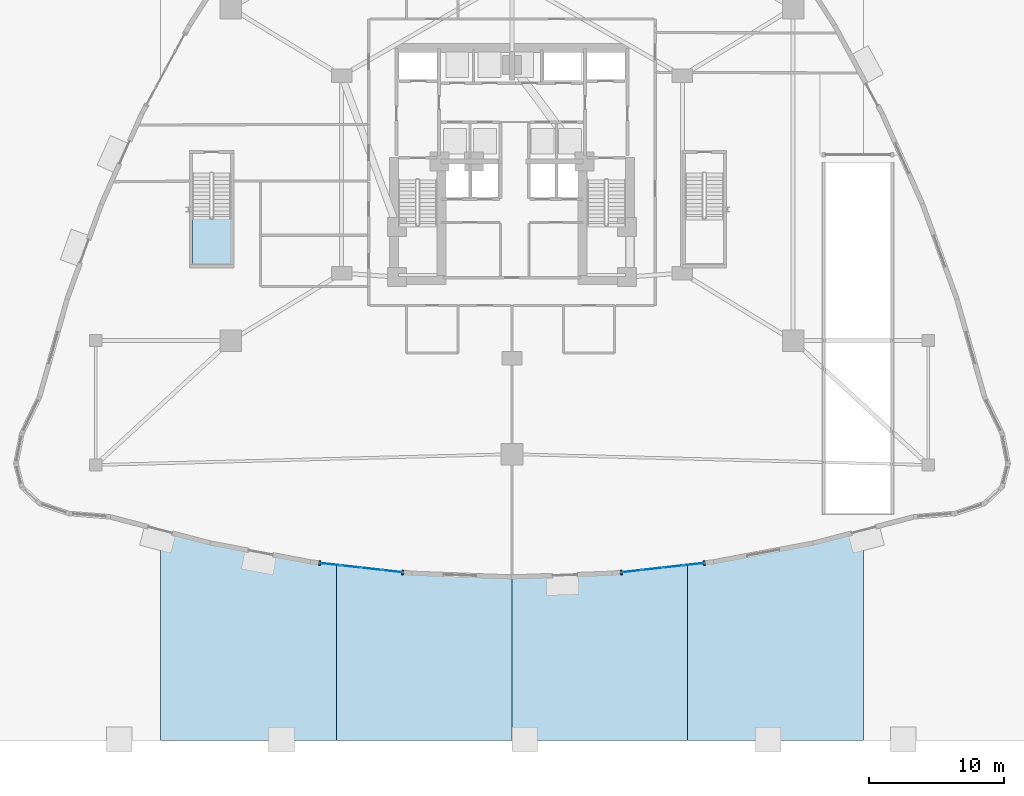
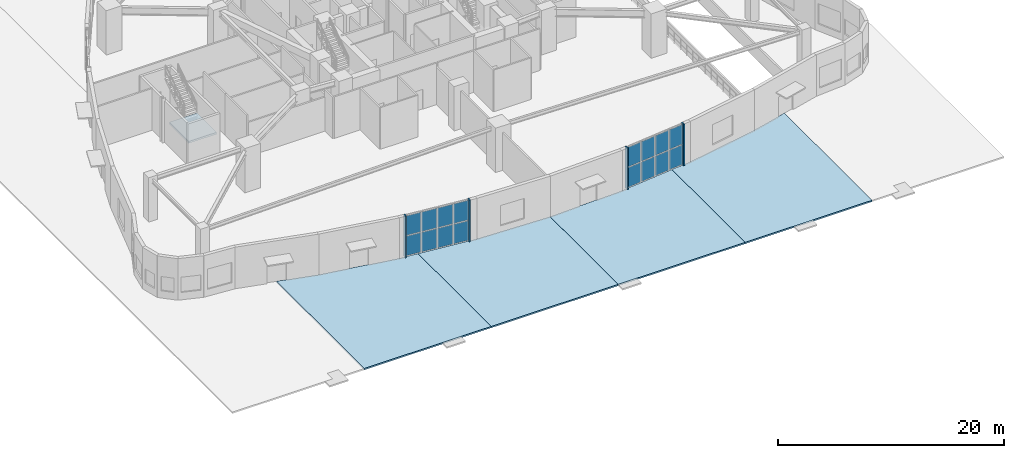
# One storey, part 15 of 32: 20 plates, 5 slabs, 3 elements without a shape of their own.
"""IFC4 building model written with IfcOpenShell, lengths in metres."""

from ifc_helpers import new_model, si_unit, direction, frame, origin, origin_2d, place, context, subcontext, project, spatial, polyline, rectangle, outline, extrude, material, layer, layer_set, type_object, element, aggregate, save


model = new_model("IFC4")

# Units and contexts
model_context = context("Model", 3, precision=1e-05, world=origin(), true_north=direction((0.0, 1.0)))
body_context = subcontext(model_context, "Body", "Model", "MODEL_VIEW")
ifc_project = project(units=[si_unit("LENGTHUNIT", "METRE"), si_unit("AREAUNIT", "SQUARE_METRE"), si_unit("VOLUMEUNIT", "CUBIC_METRE"), si_unit("PLANEANGLEUNIT", "RADIAN"), si_unit("MASSUNIT", "GRAM", prefix="KILO")], contexts=[model_context])

# Site, building, storey
site_placement = place(None, origin())
site = spatial("IfcSite", under=ifc_project, at=site_placement, CompositionType="ELEMENT")
building_placement = place(site_placement, origin())
building = spatial("IfcBuilding", under=site, at=building_placement, Name="Miruveldt Soraemaru", CompositionType="ELEMENT")
storey_placement = place(building_placement, origin())
storey = spatial("IfcBuildingStorey", under=building, at=storey_placement, Name="L01", CompositionType="ELEMENT", Elevation=0.0)

# Curtain wall, plates
ifc_material_1 = material(Name="Anodised aluminium EN AW-6063 T6", Category="aluminium")
ifc_layer_1 = layer(ifc_material_1, 0.239990234375, Name="Anodised aluminium EN AW-6063 T6", Category="aluminium")
ifc_layer_set_1 = layer_set([ifc_layer_1], Name="Anodised aluminium EN AW-6063 T6")
curtain_wall_type = type_object("IfcCurtainWallType", Name="CW-SYS-1", PredefinedType="USERDEFINED", material=ifc_layer_set_1)
curtain_wall_1_placement = place(storey_placement, origin())
curtain_wall_1 = element("IfcCurtainWall", 1, at=curtain_wall_1_placement, inside=storey, type_object=curtain_wall_type, Name="L01 Curtain Wall Bay 23", ObjectType="STOREFRONT", PredefinedType="USERDEFINED")
ifc_material_2 = material(Name="Triple low-e insulated glazing", Category="glass")
ifc_layer_2 = layer(ifc_material_2, 0.035888671875, Name="Triple low-e insulated glazing", Category="glass")
ifc_layer_set_2 = layer_set([ifc_layer_2], Name="Triple low-e insulated glazing")
plate_type_1 = type_object("IfcPlateType", Name="CWP-1", PredefinedType="CURTAIN_PANEL", material=ifc_layer_set_2)
plate_1_placement = place(storey_placement, frame((30.565673828125, 14.25732421875, 0.080078125), z_axis=(0.0, 0.0, 1.0), x_axis=(0.993731473424, -0.111793375147, 0.0)))
plate_1 = element("IfcPlate", 2, at=plate_1_placement, type_object=plate_type_1, Name="CW-1 panel 1.1", PredefinedType="CURTAIN_PANEL", context=body_context, shape_type="SweptSolid", body=[
    extrude(rectangle(XDim=1.42529296875, YDim=0.035888671875, at=origin_2d()), origin(), (0.0, 0.0, 1.0), 2.1298828125),
])
plate_2_placement = place(storey_placement, frame((30.565673828125, 14.25732421875, 2.2900390625), z_axis=(0.0, 0.0, 1.0), x_axis=(0.993731473424, -0.111793375147, 0.0)))
plate_2 = element("IfcPlate", 3, at=plate_2_placement, type_object=plate_type_1, Name="CW-1 panel 1.2", PredefinedType="CURTAIN_PANEL", context=body_context, shape_type="SweptSolid", body=[
    extrude(rectangle(XDim=1.42529296875, YDim=0.035888671875, at=origin_2d()), origin(), (0.0, 0.0, 1.0), 2.1298828125),
])
plate_3_placement = place(storey_placement, frame((32.081298828125, 14.0869140625, 0.080078125), z_axis=(0.0, 0.0, 1.0), x_axis=(0.993731473424, -0.111793375147, 0.0)))
plate_3 = element("IfcPlate", 4, at=plate_3_placement, type_object=plate_type_1, Name="CW-1 panel 2.1", PredefinedType="CURTAIN_PANEL", context=body_context, shape_type="SweptSolid", body=[
    extrude(rectangle(XDim=1.46533203125, YDim=0.035888671875, at=origin_2d()), origin(), (0.0, 0.0, 1.0), 2.1298828125),
])
plate_4_placement = place(storey_placement, frame((32.081298828125, 14.0869140625, 2.2900390625), z_axis=(0.0, 0.0, 1.0), x_axis=(0.993731473424, -0.111793375147, 0.0)))
plate_4 = element("IfcPlate", 5, at=plate_4_placement, type_object=plate_type_1, Name="CW-1 panel 2.2", PredefinedType="CURTAIN_PANEL", context=body_context, shape_type="SweptSolid", body=[
    extrude(rectangle(XDim=1.46533203125, YDim=0.035888671875, at=origin_2d()), origin(), (0.0, 0.0, 1.0), 2.1298828125),
])
plate_5_placement = place(storey_placement, frame((33.616943359375, 13.9140625, 0.080078125), z_axis=(0.0, 0.0, 1.0), x_axis=(0.993731473424, -0.111793375147, 0.0)))
plate_5 = element("IfcPlate", 6, at=plate_5_placement, type_object=plate_type_1, Name="CW-1 panel 3.1", PredefinedType="CURTAIN_PANEL", context=body_context, shape_type="SweptSolid", body=[
    extrude(rectangle(XDim=1.46533203125, YDim=0.035888671875, at=origin_2d()), origin(), (0.0, 0.0, 1.0), 2.1298828125),
])
plate_6_placement = place(storey_placement, frame((33.616943359375, 13.9140625, 2.2900390625), z_axis=(0.0, 0.0, 1.0), x_axis=(0.993731473424, -0.111793375147, 0.0)))
plate_6 = element("IfcPlate", 7, at=plate_6_placement, type_object=plate_type_1, Name="CW-1 panel 3.2", PredefinedType="CURTAIN_PANEL", context=body_context, shape_type="SweptSolid", body=[
    extrude(rectangle(XDim=1.46533203125, YDim=0.035888671875, at=origin_2d()), origin(), (0.0, 0.0, 1.0), 2.1298828125),
])
plate_7_placement = place(storey_placement, frame((35.132568359375, 13.74365234375, 0.080078125), z_axis=(0.0, 0.0, 1.0), x_axis=(0.993731473424, -0.111793375147, 0.0)))
plate_7 = element("IfcPlate", 8, at=plate_7_placement, type_object=plate_type_1, Name="CW-1 panel 4.1", PredefinedType="CURTAIN_PANEL", context=body_context, shape_type="SweptSolid", body=[
    extrude(rectangle(XDim=1.42529296875, YDim=0.035888671875, at=origin_2d()), origin(), (0.0, 0.0, 1.0), 2.1298828125),
])
plate_8_placement = place(storey_placement, frame((35.132568359375, 13.74365234375, 2.2900390625), z_axis=(0.0, 0.0, 1.0), x_axis=(0.993731473424, -0.111793375147, 0.0)))
plate_8 = element("IfcPlate", 9, at=plate_8_placement, type_object=plate_type_1, Name="CW-1 panel 4.2", PredefinedType="CURTAIN_PANEL", context=body_context, shape_type="SweptSolid", body=[
    extrude(rectangle(XDim=1.42529296875, YDim=0.035888671875, at=origin_2d()), origin(), (0.0, 0.0, 1.0), 2.1298828125),
])
aggregate(curtain_wall_1, [plate_1, plate_2, plate_3, plate_4, plate_5, plate_6, plate_7, plate_8])

curtain_wall_2_placement = place(storey_placement, origin())
curtain_wall_2 = element("IfcCurtainWall", 10, at=curtain_wall_2_placement, inside=storey, type_object=curtain_wall_type, Name="L01 Curtain Wall Bay 26", ObjectType="STOREFRONT", PredefinedType="USERDEFINED")
plate_9_placement = place(storey_placement, frame((52.86767578125, 13.74365234375, 0.080078125), z_axis=(0.0, 0.0, 1.0), x_axis=(0.993731473424, 0.111793375147, 0.0)))
plate_9 = element("IfcPlate", 11, at=plate_9_placement, type_object=plate_type_1, Name="CW-1 panel 1.1", PredefinedType="CURTAIN_PANEL", context=body_context, shape_type="SweptSolid", body=[
    extrude(rectangle(XDim=1.42529296875, YDim=0.035888671875, at=origin_2d()), origin(), (0.0, 0.0, 1.0), 2.1298828125),
])
plate_10_placement = place(storey_placement, frame((52.86767578125, 13.74365234375, 2.2900390625), z_axis=(0.0, 0.0, 1.0), x_axis=(0.993731473424, 0.111793375147, 0.0)))
plate_10 = element("IfcPlate", 12, at=plate_10_placement, type_object=plate_type_1, Name="CW-1 panel 1.2", PredefinedType="CURTAIN_PANEL", context=body_context, shape_type="SweptSolid", body=[
    extrude(rectangle(XDim=1.42529296875, YDim=0.035888671875, at=origin_2d()), origin(), (0.0, 0.0, 1.0), 2.1298828125),
])
plate_11_placement = place(storey_placement, frame((54.38330078125, 13.914306640625, 0.080078125), z_axis=(0.0, 0.0, 1.0), x_axis=(0.993731473424, 0.111793375147, 0.0)))
plate_11 = element("IfcPlate", 13, at=plate_11_placement, type_object=plate_type_1, Name="CW-1 panel 2.1", PredefinedType="CURTAIN_PANEL", context=body_context, shape_type="SweptSolid", body=[
    extrude(rectangle(XDim=1.46533203125, YDim=0.035888671875, at=origin_2d()), origin(), (0.0, 0.0, 1.0), 2.1298828125),
])
plate_12_placement = place(storey_placement, frame((54.38330078125, 13.914306640625, 2.2900390625), z_axis=(0.0, 0.0, 1.0), x_axis=(0.993731473424, 0.111793375147, 0.0)))
plate_12 = element("IfcPlate", 14, at=plate_12_placement, type_object=plate_type_1, Name="CW-1 panel 2.2", PredefinedType="CURTAIN_PANEL", context=body_context, shape_type="SweptSolid", body=[
    extrude(rectangle(XDim=1.46533203125, YDim=0.035888671875, at=origin_2d()), origin(), (0.0, 0.0, 1.0), 2.1298828125),
])
plate_13_placement = place(storey_placement, frame((55.9189453125, 14.0869140625, 0.080078125), z_axis=(0.0, 0.0, 1.0), x_axis=(0.993731473424, 0.111793375147, 0.0)))
plate_13 = element("IfcPlate", 15, at=plate_13_placement, type_object=plate_type_1, Name="CW-1 panel 3.1", PredefinedType="CURTAIN_PANEL", context=body_context, shape_type="SweptSolid", body=[
    extrude(rectangle(XDim=1.46533203125, YDim=0.035888671875, at=origin_2d()), origin(), (0.0, 0.0, 1.0), 2.1298828125),
])
plate_14_placement = place(storey_placement, frame((55.9189453125, 14.0869140625, 2.2900390625), z_axis=(0.0, 0.0, 1.0), x_axis=(0.993731473424, 0.111793375147, 0.0)))
plate_14 = element("IfcPlate", 16, at=plate_14_placement, type_object=plate_type_1, Name="CW-1 panel 3.2", PredefinedType="CURTAIN_PANEL", context=body_context, shape_type="SweptSolid", body=[
    extrude(rectangle(XDim=1.46533203125, YDim=0.035888671875, at=origin_2d()), origin(), (0.0, 0.0, 1.0), 2.1298828125),
])
plate_15_placement = place(storey_placement, frame((57.4345703125, 14.257568359375, 0.080078125), z_axis=(0.0, 0.0, 1.0), x_axis=(0.993731473424, 0.111793375147, 0.0)))
plate_15 = element("IfcPlate", 17, at=plate_15_placement, type_object=plate_type_1, Name="CW-1 panel 4.1", PredefinedType="CURTAIN_PANEL", context=body_context, shape_type="SweptSolid", body=[
    extrude(rectangle(XDim=1.42529296875, YDim=0.035888671875, at=origin_2d()), origin(), (0.0, 0.0, 1.0), 2.1298828125),
])
plate_16_placement = place(storey_placement, frame((57.4345703125, 14.257568359375, 2.2900390625), z_axis=(0.0, 0.0, 1.0), x_axis=(0.993731473424, 0.111793375147, 0.0)))
plate_16 = element("IfcPlate", 18, at=plate_16_placement, type_object=plate_type_1, Name="CW-1 panel 4.2", PredefinedType="CURTAIN_PANEL", context=body_context, shape_type="SweptSolid", body=[
    extrude(rectangle(XDim=1.42529296875, YDim=0.035888671875, at=origin_2d()), origin(), (0.0, 0.0, 1.0), 2.1298828125),
])
aggregate(curtain_wall_2, [plate_9, plate_10, plate_11, plate_12, plate_13, plate_14, plate_15, plate_16])

# Plates
ifc_layer_3 = layer(ifc_material_1, 0.030029296875, Name="Anodised aluminium EN AW-6063 T6", Category="aluminium")
ifc_layer_set_3 = layer_set([ifc_layer_3], Name="Anodised aluminium EN AW-6063 T6")
plate_type_2 = type_object("IfcPlateType", Name="PLT-JAMB-30", PredefinedType="SHEET", material=ifc_layer_set_3)
for number, where, z_axis, x_axis, name in (
    (19, (29.778076171875, 14.345947265625, 0.0), (0.0, 0.0, 1.0), (0.993730900023, -0.111798471993, 0.0), "L01 Curtain Wall Jamb Closure Trim 23JL"),
    (20, (35.92041015625, 13.655029296875, 0.0), (0.0, 0.0, 1.0), (0.993730900023, -0.111798471993, 0.0), "L01 Curtain Wall Jamb Closure Trim 23JR"),
    (21, (52.079833984375, 13.655029296875, 0.0), (0.0, 0.0, 1.0), (0.993730900023, 0.111798471993, 0.0), "L01 Curtain Wall Jamb Closure Trim 26JL"),
    (22, (58.22216796875, 14.34619140625, 0.0), (0.0, 0.0, 1.0), (0.993730900023, 0.111798471993, 0.0), "L01 Curtain Wall Jamb Closure Trim 26JR"),
):
    element("IfcPlate", number, at=place(storey_placement, frame(where, z_axis=z_axis, x_axis=x_axis)), inside=storey, type_object=plate_type_2, Name=name, PredefinedType="SHEET", context=body_context, shape_type="SweptSolid", body=[
        extrude(rectangle(XDim=0.139892578125, YDim=0.340087890625, at=origin_2d()), origin(), (0.0, 0.0, 1.0), 4.5),
    ])

# Stair, slab
ifc_material_3 = material(Name="Concrete C40/50 (40 MPa)", Category="concrete")
stair_type = type_object("IfcStairType", Name="STAIR-DL-480", PredefinedType="HALF_TURN_STAIR", material=ifc_material_3)
stair_placement = place(storey_placement, origin())
stair = element("IfcStair", 23, at=stair_placement, inside=storey, type_object=stair_type, Name="L01 Podium Protected Exit Stair ST-3", PredefinedType="HALF_TURN_STAIR")
ifc_layer_4 = layer(ifc_material_3, 0.199951171875, Name="Concrete C40/50 (40 MPa)", Category="concrete")
ifc_layer_set_4 = layer_set([ifc_layer_4], Name="Concrete C40/50 (40 MPa)")
slab_type_1 = type_object("IfcSlabType", Name="SLAB-LAND-200", PredefinedType="LANDING", material=ifc_layer_set_4)
slab_1_placement = place(storey_placement, frame((0.0, 0.0, 2.199951171875)))
slab_1 = element("IfcSlab", 24, at=slab_1_placement, type_object=slab_type_1, Name="ST-3 landing 1", PredefinedType="LANDING", context=body_context, shape_type="SweptSolid", body=[
    extrude(outline(polyline([(20.35009765625, 39.85791015625), (20.35009765625, 36.39990234375), (23.199951171875, 36.39990234375), (23.199951171875, 39.85791015625), (20.35009765625, 39.85791015625)])), origin(), (0.0, 0.0, 1.0), 0.199951171875),
])
aggregate(stair, [slab_1])

# Slabs
ifc_material_4 = material(Name="Precast concrete C45/55 (45 MPa)", Category="concrete")
ifc_layer_5 = layer(ifc_material_4, 0.159912109375, Name="Precast concrete C45/55 (45 MPa)", Category="concrete")
ifc_layer_set_5 = layer_set([ifc_layer_5], Name="Precast concrete C45/55 (45 MPa)")
slab_type_2 = type_object("IfcSlabType", Name="SLAB-PAVE-160", PredefinedType="USERDEFINED", material=ifc_layer_set_5)
slab_2_placement = place(storey_placement, frame((0.0, 0.0, -0.159912109375)))
element("IfcSlab", 25, at=slab_2_placement, inside=storey, type_object=slab_type_2, Name="L01 Waterfront Public Plaza PAVING 2", ObjectType="PAVING", PredefinedType="USERDEFINED", context=body_context, shape_type="SweptSolid", body=[
    extrude(outline(polyline([(31.0, 1.199951171875), (18.0, 1.199951171875), (18.0, 16.77294921875), (21.695556640625, 15.802978515625), (29.13037109375, 14.408935546875), (31.0, 14.198486328125), (31.0, 1.199951171875)])), origin(), (0.0, 0.0, 1.0), 0.159912109375),
])
slab_3_placement = place(storey_placement, frame((0.0, 0.0, -0.159912109375)))
element("IfcSlab", 26, at=slab_3_placement, inside=storey, type_object=slab_type_2, Name="L01 Waterfront Public Plaza PAVING 3", ObjectType="PAVING", PredefinedType="USERDEFINED", context=body_context, shape_type="SweptSolid", body=[
    extrude(outline(polyline([(44.0, 1.199951171875), (31.0, 1.199951171875), (31.0, 14.198486328125), (36.56494140625, 13.572509765625), (43.99951171875, 13.293701171875), (44.0, 1.199951171875)])), origin(), (0.0, 0.0, 1.0), 0.159912109375),
])
slab_4_placement = place(storey_placement, frame((0.0, 0.0, -0.159912109375)))
element("IfcSlab", 27, at=slab_4_placement, inside=storey, type_object=slab_type_2, Name="L01 Waterfront Public Plaza PAVING 4", ObjectType="PAVING", PredefinedType="USERDEFINED", context=body_context, shape_type="SweptSolid", body=[
    extrude(outline(polyline([(57.0, 1.199951171875), (44.0, 1.199951171875), (44.0, 13.293701171875), (51.434326171875, 13.572509765625), (57.0, 14.198486328125), (57.0, 1.199951171875)])), origin(), (0.0, 0.0, 1.0), 0.159912109375),
])
slab_5_placement = place(storey_placement, frame((0.0, 0.0, -0.159912109375)))
element("IfcSlab", 28, at=slab_5_placement, inside=storey, type_object=slab_type_2, Name="L01 Waterfront Public Plaza PAVING 5", ObjectType="PAVING", PredefinedType="USERDEFINED", context=body_context, shape_type="SweptSolid", body=[
    extrude(outline(polyline([(70.0, 1.199951171875), (57.0, 1.199951171875), (57.0, 14.198486328125), (58.868896484375, 14.40869140625), (66.3037109375, 15.802734375), (70.0, 16.77294921875), (70.0, 1.199951171875)])), origin(), (0.0, 0.0, 1.0), 0.159912109375),
])

save(model, "model.ifc")
